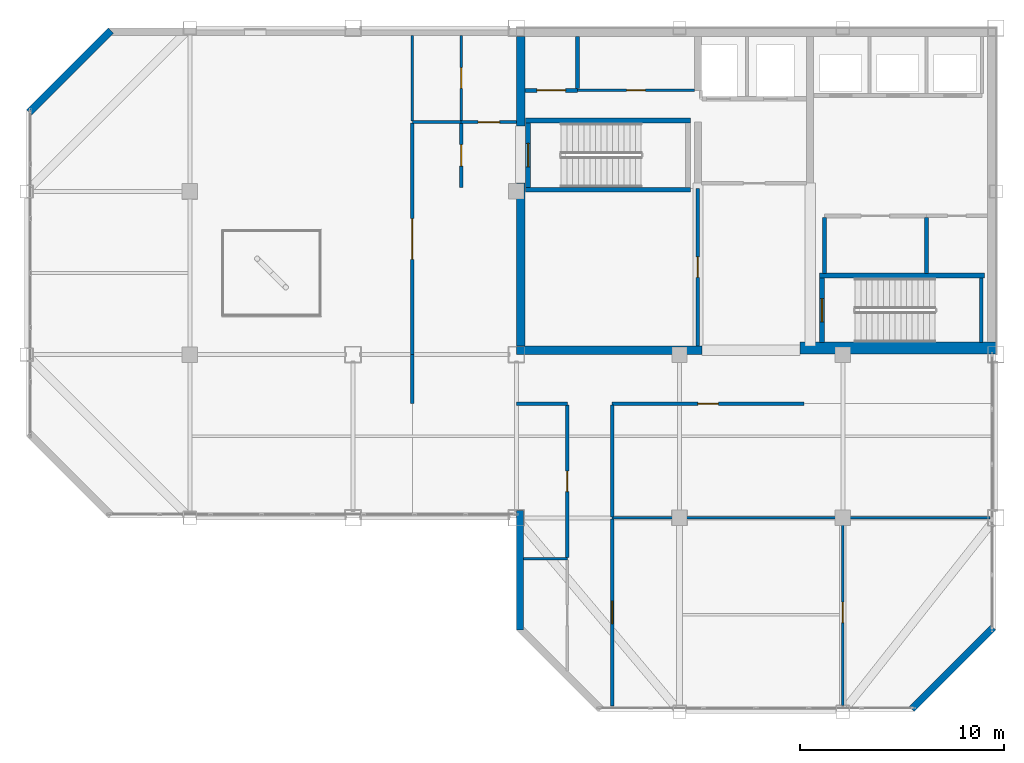
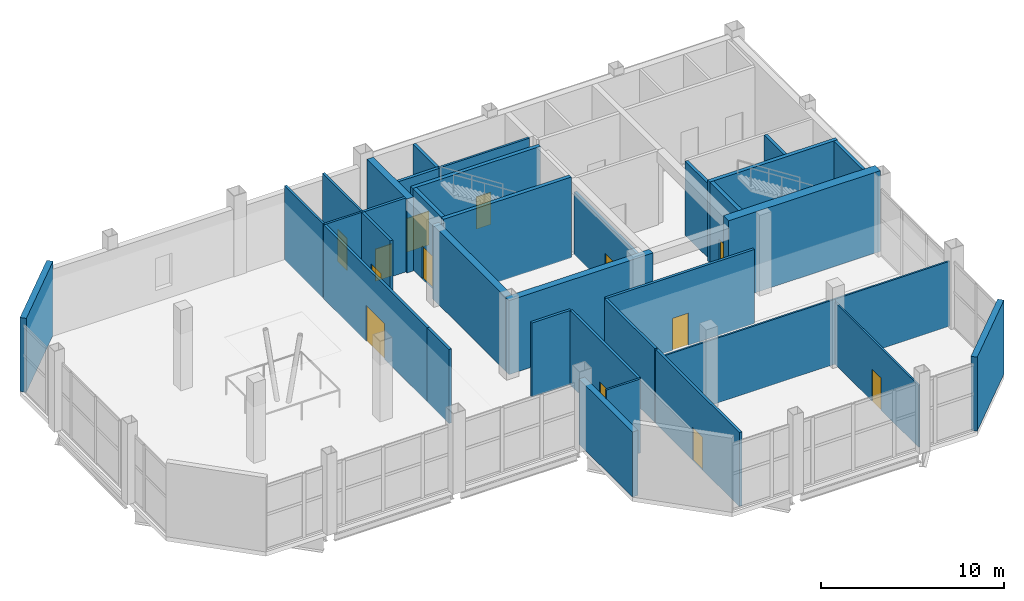
# One storey, part 12 of 16: 35 walls, 13 doors, 13 openings.
"""IFC4 building model written with IfcOpenShell, lengths in metres."""

import ifcopenshell
import ifcopenshell.guid

model = None  # the IFC model being written
_history = None  # IfcOwnerHistory: only IFC2X3 demands one
_inside = {}  # id of a spatial element -> (the spatial element, [elements in it])
_under = {}  # id of a project, library or spatial element -> (it, [spatial elements below it])
_declared = {}  # id of a project -> (the project, [libraries it declares])
_typed = {}  # id of a type object -> (the type object, [elements of that type])
_made_of = {}  # id of a material, layer set ... -> (it, [elements and type objects made of it])


def new_model(schema):
    """Start an empty IFC model of exactly this schema.

    Asked for "IFC4X3", IfcOpenShell would pick the latest addendum, in which some entities
    have other attributes; the version numbers below select the first issue.
    IFC2X3 requires an IfcOwnerHistory on every rooted entity: one is made here for all.
    """
    global model, _history
    if schema == "IFC4X3":
        model = ifcopenshell.file(schema_version=(4, 3, 0, 0))
    else:
        model = ifcopenshell.file(schema=schema)
    _inside.clear()
    _under.clear()
    _declared.clear()
    _typed.clear()
    _made_of.clear()
    _history = None
    if model.schema == "IFC2X3":
        org = make("IfcOrganization", Name="unknown")
        user = make(
            "IfcPersonAndOrganization",
            ThePerson=make("IfcPerson", FamilyName="unknown"),
            TheOrganization=org,
        )
        app = make(
            "IfcApplication",
            ApplicationDeveloper=org,
            Version="unknown",
            ApplicationFullName="unknown",
            ApplicationIdentifier="unknown",
        )
        _history = make(
            "IfcOwnerHistory",
            OwningUser=user,
            OwningApplication=app,
            ChangeAction="ADDED",
            CreationDate=0,
        )
    return model


def make(cls, **values):
    """One entity of the class cls with the attributes given. An attribute that is None is left unset."""
    return model.create_entity(
        cls, **{name: value for name, value in values.items() if value is not None}
    )


def rooted(cls, **values):
    """An entity with a GlobalId (a new one), such as an element, a storey or a relation."""
    return make(cls, GlobalId=ifcopenshell.guid.new(), OwnerHistory=_history, **values)


def si_unit(unit_type, name, prefix=None):
    """IfcSIUnit, for example si_unit("LENGTHUNIT", "METRE", prefix="MILLI")."""
    return make("IfcSIUnit", UnitType=unit_type, Prefix=prefix, Name=name)


def assignment(units):
    """IfcUnitAssignment: the units of a project."""
    return None if units is None else make("IfcUnitAssignment", Units=units)


def point(xyz):
    """IfcCartesianPoint."""
    return None if xyz is None else make("IfcCartesianPoint", Coordinates=xyz)


def direction(xyz):
    """IfcDirection."""
    return None if xyz is None else make("IfcDirection", DirectionRatios=xyz)


def frame(location, z_axis=None, x_axis=None):
    """IfcAxis2Placement3D, a coordinate frame: its origin and axes. An axis left out is left unset."""
    return make(
        "IfcAxis2Placement3D",
        Location=point(location),
        Axis=direction(z_axis),
        RefDirection=direction(x_axis),
    )


def frame_2d(location, x_axis=None):
    """IfcAxis2Placement2D, a coordinate frame in the plane: its origin and x axis."""
    return make(
        "IfcAxis2Placement2D", Location=point(location), RefDirection=direction(x_axis)
    )


def origin():
    """The frame at (0, 0, 0) with its axes left unset."""
    return frame((0.0, 0.0, 0.0))


def place(relative_to, where):
    """IfcLocalPlacement: puts the frame where relative to a parent placement (None: the world)."""
    return make(
        "IfcLocalPlacement", PlacementRelTo=relative_to, RelativePlacement=where
    )


def context(
    kind, dimensions, precision=None, world=None, true_north=None, identifier=None
):
    """IfcGeometricRepresentationContext, for example the 3D "Model" context."""
    return make(
        "IfcGeometricRepresentationContext",
        ContextIdentifier=identifier,
        ContextType=kind,
        CoordinateSpaceDimension=dimensions,
        Precision=precision,
        WorldCoordinateSystem=world,
        TrueNorth=true_north,
    )


def subcontext(parent, identifier, kind, view, scale=None):
    """IfcGeometricRepresentationSubContext, for example "Body" below "Model"."""
    return make(
        "IfcGeometricRepresentationSubContext",
        ContextIdentifier=identifier,
        ContextType=kind,
        ParentContext=parent,
        TargetScale=scale,
        TargetView=view,
    )


def project(units=None, contexts=None):
    """IfcProject with its units and contexts."""
    return rooted(
        "IfcProject",
        Name="project",
        RepresentationContexts=contexts,
        UnitsInContext=assignment(units),
    )


def spatial(cls, under=None, at=None, **own):
    """A site, building, storey or space (cls), placed at a placement, below another one or the project."""
    s = rooted(cls, ObjectPlacement=at, **own)
    if under is not None:
        _under.setdefault(under.id(), (under, []))[1].append(s)
    return s


def profile(cls, at=None, kind="AREA", **sizes):
    """A parametric profile (cls). Its sizes go by their IFC names, for example OverallWidth=200.0."""
    return make(cls, ProfileType=kind, Position=at, **sizes)


def rectangle(**sizes):
    """IfcRectangleProfileDef."""
    return profile("IfcRectangleProfileDef", **sizes)


def extrude(swept, where, along, depth):
    """IfcExtrudedAreaSolid: the profile swept, set in the frame where, extruded along a direction by depth."""
    return make(
        "IfcExtrudedAreaSolid",
        SweptArea=swept,
        Position=where,
        ExtrudedDirection=direction(along),
        Depth=depth,
    )


def shape(context_of_items, identifier, shape_type, items):
    """IfcShapeRepresentation: the items that make up one representation, for example the "Body"."""
    return make(
        "IfcShapeRepresentation",
        ContextOfItems=context_of_items,
        RepresentationIdentifier=identifier,
        RepresentationType=shape_type,
        Items=items,
    )


def material(Name=None, Category=None):
    """IfcMaterial."""
    return make("IfcMaterial", Name=Name, Category=Category)


def layer(
    of_material, thickness, ventilated=None, Name=None, Category=None, Priority=None
):
    """IfcMaterialLayer: one layer of a wall or slab, of a material (None: an air gap)."""
    return make(
        "IfcMaterialLayer",
        Material=of_material,
        LayerThickness=thickness,
        IsVentilated=ventilated,
        Name=Name,
        Category=Category,
        Priority=Priority,
    )


def layer_set(layers, Name=None):
    """IfcMaterialLayerSet."""
    return make("IfcMaterialLayerSet", MaterialLayers=layers, LayerSetName=Name)


def made_of(thing, what):
    """Note that an element or type object is made of a material, layer set ...; save() writes the relation."""
    if what is not None:
        _made_of.setdefault(what.id(), (what, []))[1].append(thing)
    return thing


def type_object(cls, material=None, **own):
    """A type object (cls), such as IfcWallType, which elements share."""
    return made_of(rooted(cls, **own), material)


def element(
    cls,
    number,
    at=None,
    inside=None,
    cuts=None,
    type_object=None,
    material=None,
    context=None,
    identifier="Body",
    shape_type=None,
    held_by="IfcProductDefinitionShape",
    body=None,
    shapes=None,
    **own,
):
    """One element of the class cls, such as IfcWall. Its Tag is "e" and its number.

    at: its placement. inside: the storey or other place that contains it. cuts: it is an
    opening in that element (IfcRelVoidsElement). A single representation is given by context,
    identifier, shape_type and body (its items); several are given by shapes. held_by: the class
    of the entity that holds the representations. save() writes the other relations.
    """
    e = rooted(cls, Tag="e%d" % number, ObjectPlacement=at, **own)
    if body is not None:
        shapes = [shape(context, identifier, shape_type, body)]
    if shapes is not None:
        e.Representation = make(held_by, Representations=shapes)
    if inside is not None:
        _inside.setdefault(inside.id(), (inside, []))[1].append(e)
    if cuts is not None:
        rooted(
            "IfcRelVoidsElement", RelatingBuildingElement=cuts, RelatedOpeningElement=e
        )
    if type_object is not None:
        _typed.setdefault(type_object.id(), (type_object, []))[1].append(e)
    return made_of(e, material)


def fill(opening, filler):
    """IfcRelFillsElement: the door or window that sits in an opening."""
    return rooted(
        "IfcRelFillsElement",
        RelatingOpeningElement=opening,
        RelatedBuildingElement=filler,
    )


def aggregate(whole, parts):
    """IfcRelAggregates: a whole, such as a stair, and the parts it consists of."""
    return rooted("IfcRelAggregates", RelatingObject=whole, RelatedObjects=parts)


def save(model, path):
    """Write the relations noted so far, then the file.

    IfcRelAggregates (storeys below a building ...), IfcRelContainedInSpatialStructure (elements
    in a storey), IfcRelDefinesByType, IfcRelAssociatesMaterial and IfcRelDeclares: one each for
    every whole, place, type object, material and project.
    """
    for whole, parts in _under.values():
        aggregate(whole, parts)
    for where, things in _inside.values():
        rooted(
            "IfcRelContainedInSpatialStructure",
            RelatedElements=things,
            RelatingStructure=where,
        )
    for kind, things in _typed.values():
        rooted("IfcRelDefinesByType", RelatedObjects=things, RelatingType=kind)
    for what, things in _made_of.values():
        rooted("IfcRelAssociatesMaterial", RelatedObjects=things, RelatingMaterial=what)
    for by, libraries in _declared.values():
        rooted("IfcRelDeclares", RelatingContext=by, RelatedDefinitions=libraries)
    model.write(path)


model = new_model("IFC4")

# Units and contexts
model_context = context("Model", 3, precision=1e-05, world=origin(), true_north=direction((0.0, 1.0)))
body_context = subcontext(model_context, "Body", "Model", "MODEL_VIEW")
ifc_project = project(units=[si_unit("LENGTHUNIT", "METRE"), si_unit("AREAUNIT", "SQUARE_METRE"), si_unit("VOLUMEUNIT", "CUBIC_METRE"), si_unit("PLANEANGLEUNIT", "RADIAN"), si_unit("MASSUNIT", "GRAM", prefix="KILO")], contexts=[model_context])

# Site, building, storey
site_placement = place(None, origin())
site = spatial("IfcSite", under=ifc_project, at=site_placement, CompositionType="ELEMENT")
building_placement = place(site_placement, origin())
building = spatial("IfcBuilding", under=site, at=building_placement, Name="Qianrong Seaharbour Tower", CompositionType="ELEMENT")
storey_placement = place(building_placement, frame((0.0, 0.0, 378.39990234375)))
storey = spatial("IfcBuildingStorey", under=building, at=storey_placement, Name="L91", CompositionType="ELEMENT", Elevation=378.39990234375)

# Walls
ifc_material_1 = material(Name="Concrete C50/60", Category="concrete")
ifc_layer_1 = layer(ifc_material_1, 0.419921875)
ifc_layer_set_1 = layer_set([ifc_layer_1], Name="Concrete C50/60")
wall_type_1 = type_object("IfcWallType", Name="WALL-CORE-420", PredefinedType="SHEAR", material=ifc_layer_set_1)
wall_1_placement = place(storey_placement, frame((40.7099609375, 36.419921875, 0.0), z_axis=(0.0, 0.0, 1.0), x_axis=(0.0, 1.0, 0.0)))
element("IfcWall", 1, at=wall_1_placement, inside=storey, type_object=wall_type_1, Name="L91 West Core Shear Wall South", PredefinedType="SHEAR", context=body_context, shape_type="SweptSolid", body=[
    extrude(rectangle(XDim=7.97998046875, YDim=0.419921875, at=frame_2d((3.989990234375, 0.0))), origin(), (0.0, 0.0, 1.0), 4.9501953125),
])
wall_2_placement = place(storey_placement, frame((40.7099609375, 47.199951171875, 0.0), z_axis=(0.0, 0.0, 1.0), x_axis=(0.0, 1.0, 0.0)))
element("IfcWall", 2, at=wall_2_placement, inside=storey, type_object=wall_type_1, Name="L91 West Core Shear Wall North", PredefinedType="SHEAR", context=body_context, shape_type="SweptSolid", body=[
    extrude(rectangle(XDim=4.380126953125, YDim=0.419921875, at=frame_2d((2.18994140625, 0.0))), origin(), (0.0, 0.0, 1.0), 4.9501953125),
])
wall_3_placement = place(storey_placement, frame((40.5, 36.2099609375, 0.0), z_axis=(0.0, 0.0, 1.0), x_axis=(1.0, 0.0, 0.0)))
element("IfcWall", 3, at=wall_3_placement, inside=storey, type_object=wall_type_1, Name="L91 South Core Shear Wall S1", PredefinedType="SHEAR", context=body_context, shape_type="SweptSolid", body=[
    extrude(rectangle(XDim=9.10009765625, YDim=0.419921875, at=frame_2d((4.550048828125, 0.0))), origin(), (0.0, 0.0, 1.0), 4.9501953125),
])
ifc_material_2 = material(Name="Concrete C70/85", Category="concrete")
ifc_layer_2 = layer(ifc_material_2, 0.580078125)
ifc_layer_set_2 = layer_set([ifc_layer_2], Name="Concrete C70/85")
wall_type_2 = type_object("IfcWallType", Name="WALL-CORE-580", PredefinedType="SHEAR", material=ifc_layer_set_2)
wall_4_placement = place(storey_placement, frame((54.39990234375, 36.320068359375, 0.0), z_axis=(0.0, 0.0, 1.0), x_axis=(1.0, 0.0, 0.0)))
element("IfcWall", 4, at=wall_4_placement, inside=storey, type_object=wall_type_2, Name="L91 South Core Shear Wall S3", PredefinedType="SHEAR", context=body_context, shape_type="SweptSolid", body=[
    extrude(rectangle(XDim=9.60009765625, YDim=0.580078125, at=frame_2d((4.800048828125, 0.0))), origin(), (0.0, 0.0, 1.0), 5.400146484375),
])

# Wall, opening, door
ifc_material_3 = material(Name="Fire-rated acoustic gypsum board partition")
ifc_layer_3 = layer(ifc_material_3, 0.1650390625)
ifc_layer_set_3 = layer_set([ifc_layer_3], Name="Fire-rated acoustic gypsum board partition")
wall_type_3 = type_object("IfcWallType", Name="WALL-CORR-PART-165", PredefinedType="PARTITIONING", material=ifc_layer_set_3)
wall_5_placement = place(storey_placement, frame((37.800048828125, 47.39990234375, 0.0), z_axis=(0.0, 0.0, 1.0), x_axis=(1.0, 0.0, 0.0)))
wall_5 = element("IfcWall", 5, at=wall_5_placement, inside=storey, type_object=wall_type_3, Name="L91 Interior Partition Wall 001", PredefinedType="PARTITIONING", context=body_context, shape_type="SweptSolid", body=[
    extrude(rectangle(XDim=2.699951171875, YDim=0.1650390625, at=frame_2d((1.35009765625, 0.0))), origin(), (0.0, 0.0, 1.0), 4.9501953125),
])
opening_1_placement = place(wall_5_placement, frame((0.824951171875, 0.0, 0.0)))
opening_1 = element("IfcOpeningElement", 6, at=opening_1_placement, cuts=wall_5, Name="Opening DC-01", PredefinedType="OPENING", context=body_context, shape_type="SweptSolid", body=[
    extrude(rectangle(XDim=1.050048828125, YDim=2.14990234375, at=frame_2d((0.52490234375, 1.074951171875))), frame((0.0, 0.092529296875, 0.0), z_axis=(0.0, -1.0, 0.0), x_axis=(1.0, 0.0, 0.0)), (0.0, 0.0, 1.0), 0.18505859375),
])
ifc_material_4 = material(Name="Acoustic timber and galvanized steel fire door assembly", Category="steel")
door_type_1 = type_object("IfcDoorType", Name="DOOR-CORR-FD60-1050x2150", OperationType="NOTDEFINED", PredefinedType="DOOR", material=ifc_material_4)
door_1_placement = place(opening_1_placement, origin())
door_1 = element("IfcDoor", 7, at=door_1_placement, inside=storey, type_object=door_type_1, Name="L91 Smokeproof Stair Vestibule ST-1 Door", OperationType="SINGLE_SWING_RIGHT", OverallHeight=2.14990234375, OverallWidth=1.050048828125, PredefinedType="DOOR", context=body_context, shape_type="SweptSolid", body=[
    extrude(rectangle(XDim=1.050048828125, YDim=2.14990234375, at=frame_2d((0.52490234375, 1.074951171875))), frame((0.0, 0.02490234375, 0.0), z_axis=(0.0, -1.0, 0.0), x_axis=(1.0, 0.0, 0.0)), (0.0, 0.0, 1.0), 0.050048828125),
])
fill(opening_1, door_1)

wall_6_placement = place(storey_placement, frame((37.800048828125, 44.199951171875, 0.0), z_axis=(0.0, 0.0, 1.0), x_axis=(0.0, 1.0, 0.0)))
wall_6 = element("IfcWall", 8, at=wall_6_placement, inside=storey, type_object=wall_type_3, Name="L91 Interior Partition Wall 002", PredefinedType="PARTITIONING", context=body_context, shape_type="SweptSolid", body=[
    extrude(rectangle(XDim=3.12548828125, YDim=0.1650390625, at=frame_2d((1.562744140625, 0.0))), origin(), (0.0, 0.0, 1.0), 4.9501953125),
])
opening_2_placement = place(wall_6_placement, frame((1.03759765625, 0.0, 0.0)))
opening_2 = element("IfcOpeningElement", 9, at=opening_2_placement, cuts=wall_6, Name="Opening DC-01", PredefinedType="OPENING", context=body_context, shape_type="SweptSolid", body=[
    extrude(rectangle(XDim=1.050048828125, YDim=2.14990234375, at=frame_2d((0.52490234375, 1.074951171875))), frame((0.0, 0.092529296875, 0.0), z_axis=(0.0, -1.0, 0.0), x_axis=(1.0, 0.0, 0.0)), (0.0, 0.0, 1.0), 0.18505859375),
])
door_2_placement = place(opening_2_placement, origin())
door_2 = element("IfcDoor", 10, at=door_2_placement, inside=storey, type_object=door_type_1, Name="L91 Smokeproof Stair Vestibule ST-1 Door", OperationType="SINGLE_SWING_LEFT", OverallHeight=2.14990234375, OverallWidth=1.050048828125, PredefinedType="DOOR", context=body_context, shape_type="SweptSolid", body=[
    extrude(rectangle(XDim=1.050048828125, YDim=2.14990234375, at=frame_2d((0.52490234375, 1.074951171875))), frame((0.0, 0.02490234375, 0.0), z_axis=(0.0, -1.0, 0.0), x_axis=(1.0, 0.0, 0.0)), (0.0, 0.0, 1.0), 0.050048828125),
])
fill(opening_2, door_2)

wall_7_placement = place(storey_placement, frame((49.39990234375, 36.419921875, 0.0), z_axis=(0.0, 0.0, 1.0), x_axis=(0.0, 1.0, 0.0)))
wall_7 = element("IfcWall", 11, at=wall_7_placement, inside=storey, type_object=wall_type_3, Name="L91 Interior Partition Wall 009", PredefinedType="PARTITIONING", context=body_context, shape_type="SweptSolid", body=[
    extrude(rectangle(XDim=7.72998046875, YDim=0.1650390625, at=frame_2d((3.864990234375, 0.0))), origin(), (0.0, 0.0, 1.0), 4.192138671875),
])
opening_3_placement = place(wall_7_placement, frame((3.364990234375, 0.0, 0.0)))
opening_3 = element("IfcOpeningElement", 12, at=opening_3_placement, cuts=wall_7, Name="Opening DO-01", PredefinedType="OPENING", context=body_context, shape_type="SweptSolid", body=[
    extrude(rectangle(XDim=1.0, YDim=2.14990234375, at=frame_2d((0.5, 1.074951171875))), frame((0.0, 0.092529296875, 0.0), z_axis=(0.0, -1.0, 0.0), x_axis=(1.0, 0.0, 0.0)), (0.0, 0.0, 1.0), 0.18505859375),
])
door_type_2 = type_object("IfcDoorType", Name="DOOR-OFFICE-1000x2150", OperationType="NOTDEFINED", PredefinedType="DOOR", material=ifc_material_4)
door_3_placement = place(opening_3_placement, origin())
door_3 = element("IfcDoor", 13, at=door_3_placement, inside=storey, type_object=door_type_2, Name="L91 Data Systems Office Door", OperationType="SINGLE_SWING_LEFT", OverallHeight=2.14990234375, OverallWidth=1.0, PredefinedType="DOOR", context=body_context, shape_type="SweptSolid", body=[
    extrude(rectangle(XDim=1.0, YDim=2.14990234375, at=frame_2d((0.5, 1.074951171875))), frame((0.0, 0.02490234375, 0.0), z_axis=(0.0, -1.0, 0.0), x_axis=(1.0, 0.0, 0.0)), (0.0, 0.0, 1.0), 0.050048828125),
])
fill(opening_3, door_3)

# Wall
wall_8_placement = place(storey_placement, frame((35.39990234375, 33.60009765625, 0.0), z_axis=(0.0, 0.0, 1.0), x_axis=(0.0, 1.0, 0.0)))
element("IfcWall", 14, at=wall_8_placement, inside=storey, type_object=wall_type_3, Name="L91 Interior Partition Wall 015", PredefinedType="PARTITIONING", context=body_context, shape_type="SweptSolid", body=[
    extrude(rectangle(XDim=2.39990234375, YDim=0.1650390625, at=frame_2d((1.199951171875, 0.0))), origin(), (0.0, 0.0, 1.0), 4.9501953125),
])

# Wall, opening, door
wall_9_placement = place(storey_placement, frame((54.60009765625, 33.60009765625, 0.0), z_axis=(0.0, 0.0, 1.0), x_axis=(-1.0, 0.0, 0.0)))
wall_9 = element("IfcWall", 15, at=wall_9_placement, inside=storey, type_object=wall_type_3, Name="L91 Interior Partition Wall 016", PredefinedType="PARTITIONING", context=body_context, shape_type="SweptSolid", body=[
    extrude(rectangle(XDim=9.400146484375, YDim=0.1650390625, at=frame_2d((4.7001953125, 0.0))), origin(), (0.0, 0.0, 1.0), 4.9501953125),
])
opening_4_placement = place(wall_9_placement, frame((4.199951171875, 0.0, 0.0)))
opening_4 = element("IfcOpeningElement", 16, at=opening_4_placement, cuts=wall_9, Name="Opening DO-01", PredefinedType="OPENING", context=body_context, shape_type="SweptSolid", body=[
    extrude(rectangle(XDim=1.0, YDim=2.14990234375, at=frame_2d((0.5, 1.074951171875))), frame((0.0, 0.092529296875, 0.0), z_axis=(0.0, -1.0, 0.0), x_axis=(1.0, 0.0, 0.0)), (0.0, 0.0, 1.0), 0.18505859375),
])
door_4_placement = place(opening_4_placement, origin())
door_4 = element("IfcDoor", 17, at=door_4_placement, inside=storey, type_object=door_type_2, Name="L91 Sky Summit Private Dining Room Door", OperationType="SINGLE_SWING_RIGHT", OverallHeight=2.14990234375, OverallWidth=1.0, PredefinedType="DOOR", context=body_context, shape_type="SweptSolid", body=[
    extrude(rectangle(XDim=1.0, YDim=2.14990234375, at=frame_2d((0.5, 1.074951171875))), frame((0.0, 0.02490234375, 0.0), z_axis=(0.0, -1.0, 0.0), x_axis=(1.0, 0.0, 0.0)), (0.0, 0.0, 1.0), 0.050048828125),
])
fill(opening_4, door_4)

# Wall
wall_10_placement = place(storey_placement, frame((43.0, 33.60009765625, 0.0), z_axis=(0.0, 0.0, 1.0), x_axis=(-1.0, 0.0, 0.0)))
element("IfcWall", 18, at=wall_10_placement, inside=storey, type_object=wall_type_3, Name="L91 Interior Partition Wall 017", PredefinedType="PARTITIONING", context=body_context, shape_type="SweptSolid", body=[
    extrude(rectangle(XDim=2.5, YDim=0.1650390625, at=frame_2d((1.25, 0.0))), origin(), (0.0, 0.0, 1.0), 4.9501953125),
])

# Wall, opening, door
wall_11_placement = place(storey_placement, frame((35.39990234375, 36.0, 0.0), z_axis=(0.0, 0.0, 1.0), x_axis=(0.0, 1.0, 0.0)))
wall_11 = element("IfcWall", 19, at=wall_11_placement, inside=storey, type_object=wall_type_3, Name="L91 Interior Partition Wall 018", PredefinedType="PARTITIONING", context=body_context, shape_type="SweptSolid", body=[
    extrude(rectangle(XDim=11.343017578125, YDim=0.1650390625, at=frame_2d((5.67138671875, 0.0))), origin(), (0.0, 0.0, 1.0), 4.9501953125),
])
opening_5_placement = place(wall_11_placement, frame((4.67138671875, 0.0, 0.0)))
opening_5 = element("IfcOpeningElement", 20, at=opening_5_placement, cuts=wall_11, Name="Opening DA-01", PredefinedType="OPENING", context=body_context, shape_type="SweptSolid", body=[
    extrude(rectangle(XDim=2.0, YDim=2.39990234375, at=frame_2d((1.0, 1.199951171875))), frame((0.0, 0.092529296875, 0.0), z_axis=(0.0, -1.0, 0.0), x_axis=(1.0, 0.0, 0.0)), (0.0, 0.0, 1.0), 0.18505859375),
])
door_type_3 = type_object("IfcDoorType", Name="DOOR-AUD-PAIR-2000x2400", OperationType="DOUBLE_DOOR_SINGLE_SWING", PredefinedType="DOOR", material=ifc_material_4)
door_5_placement = place(opening_5_placement, origin())
door_5 = element("IfcDoor", 21, at=door_5_placement, inside=storey, type_object=door_type_3, Name="L91 Observatory Gallery Door", OperationType="DOUBLE_DOOR_SINGLE_SWING", OverallHeight=2.39990234375, OverallWidth=2.0, PredefinedType="DOOR", context=body_context, shape_type="SweptSolid", body=[
    extrude(rectangle(XDim=2.0, YDim=2.39990234375, at=frame_2d((1.0, 1.199951171875))), frame((0.0, 0.02490234375, 0.0), z_axis=(0.0, -1.0, 0.0), x_axis=(1.0, 0.0, 0.0)), (0.0, 0.0, 1.0), 0.050048828125),
])
fill(opening_5, door_5)

wall_12_placement = place(storey_placement, frame((45.199951171875, 27.952880859375, 0.0), z_axis=(0.0, 0.0, 1.0), x_axis=(0.0, -1.0, 0.0)))
wall_12 = element("IfcWall", 22, at=wall_12_placement, inside=storey, type_object=wall_type_3, Name="L91 Interior Partition Wall 019", PredefinedType="PARTITIONING", context=body_context, shape_type="SweptSolid", body=[
    extrude(rectangle(XDim=9.1708984375, YDim=0.1650390625, at=frame_2d((4.58544921875, 0.0))), origin(), (0.0, 0.0, 1.0), 4.9501953125),
])
opening_6_placement = place(wall_12_placement, frame((4.035400390625, 0.0, 0.0)))
opening_6 = element("IfcOpeningElement", 23, at=opening_6_placement, cuts=wall_12, Name="Opening DM-01", PredefinedType="OPENING", context=body_context, shape_type="SweptSolid", body=[
    extrude(rectangle(XDim=1.10009765625, YDim=2.199951171875, at=frame_2d((0.550048828125, 1.10009765625))), frame((0.0, 0.092529296875, 0.0), z_axis=(0.0, -1.0, 0.0), x_axis=(1.0, 0.0, 0.0)), (0.0, 0.0, 1.0), 0.18505859375),
])
door_type_4 = type_object("IfcDoorType", Name="DOOR-MEET-1100x2200", OperationType="NOTDEFINED", PredefinedType="DOOR", material=ifc_material_4)
door_6_placement = place(opening_6_placement, origin())
door_6 = element("IfcDoor", 24, at=door_6_placement, inside=storey, type_object=door_type_4, Name="L91 Boardroom Door", OperationType="SINGLE_SWING_RIGHT", OverallHeight=2.199951171875, OverallWidth=1.10009765625, PredefinedType="DOOR", context=body_context, shape_type="SweptSolid", body=[
    extrude(rectangle(XDim=1.10009765625, YDim=2.199951171875, at=frame_2d((0.550048828125, 1.10009765625))), frame((0.0, 0.02490234375, 0.0), z_axis=(0.0, -1.0, 0.0), x_axis=(1.0, 0.0, 0.0)), (0.0, 0.0, 1.0), 0.050048828125),
])
fill(opening_6, door_6)

# Wall
wall_13_placement = place(storey_placement, frame((45.199951171875, 33.525390625, 0.0), z_axis=(0.0, 0.0, 1.0), x_axis=(0.0, -1.0, 0.0)))
element("IfcWall", 25, at=wall_13_placement, inside=storey, type_object=wall_type_3, Name="L91 Interior Partition Wall 020", PredefinedType="PARTITIONING", context=body_context, shape_type="SweptSolid", body=[
    extrude(rectangle(XDim=5.478271484375, YDim=0.1650390625, at=frame_2d((2.7392578125, 0.0))), origin(), (0.0, 0.0, 1.0), 4.9501953125),
])

# Wall, opening, door
wall_14_placement = place(storey_placement, frame((43.0, 26.056884765625, 0.0), z_axis=(0.0, 0.0, 1.0), x_axis=(0.0, 1.0, 0.0)))
wall_14 = element("IfcWall", 26, at=wall_14_placement, inside=storey, type_object=wall_type_3, Name="L91 Interior Partition Wall 022", PredefinedType="PARTITIONING", context=body_context, shape_type="SweptSolid", body=[
    extrude(rectangle(XDim=7.468505859375, YDim=0.1650390625, at=frame_2d((3.734375, 0.0))), origin(), (0.0, 0.0, 1.0), 4.9501953125),
])
opening_7_placement = place(wall_14_placement, frame((3.234130859375, 0.0, 0.0)))
opening_7 = element("IfcOpeningElement", 27, at=opening_7_placement, cuts=wall_14, Name="Opening DO-01", PredefinedType="OPENING", context=body_context, shape_type="SweptSolid", body=[
    extrude(rectangle(XDim=1.0, YDim=2.14990234375, at=frame_2d((0.5, 1.074951171875))), frame((0.0, 0.092529296875, 0.0), z_axis=(0.0, -1.0, 0.0), x_axis=(1.0, 0.0, 0.0)), (0.0, 0.0, 1.0), 0.18505859375),
])
door_7_placement = place(opening_7_placement, origin())
door_7 = element("IfcDoor", 28, at=door_7_placement, inside=storey, type_object=door_type_2, Name="L91 Executive Office Door", OperationType="SINGLE_SWING_RIGHT", OverallHeight=2.14990234375, OverallWidth=1.0, PredefinedType="DOOR", context=body_context, shape_type="SweptSolid", body=[
    extrude(rectangle(XDim=1.0, YDim=2.14990234375, at=frame_2d((0.5, 1.074951171875))), frame((0.0, 0.02490234375, 0.0), z_axis=(0.0, -1.0, 0.0), x_axis=(1.0, 0.0, 0.0)), (0.0, 0.0, 1.0), 0.050048828125),
])
fill(opening_7, door_7)

ifc_material_5 = material(Name="Demountable aluminium-framed acoustic office partition", Category="aluminium")
ifc_layer_4 = layer(ifc_material_5, 0.110107421875)
ifc_layer_set_4 = layer_set([ifc_layer_4], Name="Demountable aluminium-framed acoustic office partition")
wall_type_4 = type_object("IfcWallType", Name="WALL-DEMOUNT-110", PredefinedType="MOVABLE", material=ifc_layer_set_4)
wall_15_placement = place(storey_placement, frame((56.5, 27.952880859375, 0.0), z_axis=(0.0, 0.0, 1.0), x_axis=(0.0, -1.0, 0.0)))
wall_15 = element("IfcWall", 29, at=wall_15_placement, inside=storey, type_object=wall_type_4, Name="L91 Interior Partition Wall 023", PredefinedType="MOVABLE", context=body_context, shape_type="SweptSolid", body=[
    extrude(rectangle(XDim=9.1708984375, YDim=0.110107421875, at=frame_2d((4.58544921875, 0.0))), origin(), (0.0, 0.0, 1.0), 4.14208984375),
])
opening_8_placement = place(wall_15_placement, frame((4.08544921875, 0.0, 0.0)))
opening_8 = element("IfcOpeningElement", 30, at=opening_8_placement, cuts=wall_15, Name="Opening DO-01", PredefinedType="OPENING", context=body_context, shape_type="SweptSolid", body=[
    extrude(rectangle(XDim=1.0, YDim=2.14990234375, at=frame_2d((0.5, 1.074951171875))), frame((0.0, 0.06494140625, 0.0), z_axis=(0.0, -1.0, 0.0), x_axis=(1.0, 0.0, 0.0)), (0.0, 0.0, 1.0), 0.130126953125),
])
door_8_placement = place(opening_8_placement, origin())
door_8 = element("IfcDoor", 31, at=door_8_placement, inside=storey, type_object=door_type_2, Name="L91 Summit Harbour Lounge Door", OperationType="SINGLE_SWING_LEFT", OverallHeight=2.14990234375, OverallWidth=1.0, PredefinedType="DOOR", context=body_context, shape_type="SweptSolid", body=[
    extrude(rectangle(XDim=1.0, YDim=2.14990234375, at=frame_2d((0.5, 1.074951171875))), frame((0.0, 0.02490234375, 0.0), z_axis=(0.0, -1.0, 0.0), x_axis=(1.0, 0.0, 0.0)), (0.0, 0.0, 1.0), 0.050048828125),
])
fill(opening_8, door_8)

# Walls
wall_16_placement = place(storey_placement, frame((45.199951171875, 28.0, 0.0), z_axis=(0.0, 0.0, 1.0), x_axis=(1.0, 0.0, 0.0)))
element("IfcWall", 32, at=wall_16_placement, inside=storey, type_object=wall_type_4, Name="L91 Interior Partition Wall 024", PredefinedType="MOVABLE", context=body_context, shape_type="SweptSolid", body=[
    extrude(rectangle(XDim=11.300048828125, YDim=0.110107421875, at=frame_2d((5.64990234375, 0.0))), origin(), (0.0, 0.0, 1.0), 4.342041015625),
])
wall_17_placement = place(storey_placement, frame((56.5, 28.0, 0.0), z_axis=(0.0, 0.0, 1.0), x_axis=(1.0, 0.0, 0.0)))
element("IfcWall", 33, at=wall_17_placement, inside=storey, type_object=wall_type_4, Name="L91 Interior Partition Wall 025", PredefinedType="MOVABLE", context=body_context, shape_type="SweptSolid", body=[
    extrude(rectangle(XDim=7.218017578125, YDim=0.110107421875, at=frame_2d((3.60888671875, 0.0))), origin(), (0.0, 0.0, 1.0), 4.342041015625),
])
ifc_material_6 = material(Name="Unitised red brick on Precast concrete C45/55", Category="masonry")
ifc_layer_5 = layer(ifc_material_6, 0.360107421875)
ifc_layer_set_5 = layer_set([ifc_layer_5], Name="Unitised red brick on Precast concrete C45/55")
wall_type_5 = type_object("IfcWallType", Name="WALL-EXT-BRICK-RED-360", PredefinedType="SOLIDWALL", material=ifc_layer_set_5)
wall_18_placement = place(storey_placement, frame((40.679931640625, 22.5, 0.0), z_axis=(0.0, 0.0, 1.0), x_axis=(0.0, 1.0, 0.0)))
element("IfcWall", 34, at=wall_18_placement, inside=storey, type_object=wall_type_5, Name="L91 Exterior Masonry Facade Wall REENTRANT_WEST", PredefinedType="SOLIDWALL", context=body_context, shape_type="SweptSolid", body=[
    extrude(rectangle(XDim=5.860107421875, YDim=0.360107421875, at=frame_2d((2.93017578125, 0.0))), origin(), (0.0, 0.0, 1.0), 4.35009765625),
])
for number, where, z_axis, x_axis, name in (
    (35, (16.627197265625, 47.872802734375, 0.0), (0.0, 0.0, 1.0), (0.707106781187, 0.707106781187, 0.0), "L91 Exterior Masonry Facade Wall E04"),
    (36, (63.872802734375, 22.627197265625, 0.0), (0.0, 0.0, 1.0), (-0.707106781187, -0.707106781187, 0.0), "L91 Exterior Masonry Facade Wall E07"),
):
    element("IfcWall", number, at=place(storey_placement, frame(where, z_axis=z_axis, x_axis=x_axis)), inside=storey, type_object=wall_type_5, Name=name, PredefinedType="SOLIDWALL", context=body_context, shape_type="SweptSolid", body=[
        extrude(rectangle(XDim=5.65673828125, YDim=0.360107421875, at=frame_2d((2.828369140625, 0.0))), origin(), (0.0, 0.0, 1.0), 4.9501953125),
    ])

# Wall, opening, door
ifc_material_7 = material(Name="Double fire-rated gypsum board acoustic partition")
ifc_layer_6 = layer(ifc_material_7, 0.18994140625)
ifc_layer_set_6 = layer_set([ifc_layer_6], Name="Double fire-rated gypsum board acoustic partition")
wall_type_6 = type_object("IfcWallType", Name="WALL-FIRE-PART-190", PredefinedType="PARTITIONING", material=ifc_layer_set_6)
wall_19_placement = place(storey_placement, frame((40.919921875, 48.949951171875, 0.0), z_axis=(0.0, 0.0, 1.0), x_axis=(1.0, 0.0, 0.0)))
wall_19 = element("IfcWall", 37, at=wall_19_placement, inside=storey, type_object=wall_type_6, Name="L91 Interior Partition Wall 006", PredefinedType="PARTITIONING", context=body_context, shape_type="SweptSolid", body=[
    extrude(rectangle(XDim=2.580078125, YDim=0.18994140625, at=frame_2d((1.2900390625, 0.0))), origin(), (0.0, 0.0, 1.0), 4.9501953125),
])
opening_9_placement = place(wall_19_placement, frame((0.590087890625, 0.0, 0.0)))
opening_9 = element("IfcOpeningElement", 38, at=opening_9_placement, cuts=wall_19, Name="Opening DP-01", PredefinedType="OPENING", context=body_context, shape_type="SweptSolid", body=[
    extrude(rectangle(XDim=1.39990234375, YDim=2.25, at=frame_2d((0.699951171875, 1.125))), frame((0.0, 0.10498046875, 0.0), z_axis=(0.0, -1.0, 0.0), x_axis=(1.0, 0.0, 0.0)), (0.0, 0.0, 1.0), 0.2099609375),
])
door_type_5 = type_object("IfcDoorType", Name="DOOR-PLANT-PAIR-1400x2250", OperationType="DOUBLE_DOOR_SINGLE_SWING", PredefinedType="DOOR", material=ifc_material_4)
door_9_placement = place(opening_9_placement, origin())
door_9 = element("IfcDoor", 39, at=door_9_placement, inside=storey, type_object=door_type_5, Name="L91 Core Electrical Closet Door", OperationType="DOUBLE_DOOR_SINGLE_SWING", OverallHeight=2.25, OverallWidth=1.39990234375, PredefinedType="DOOR", context=body_context, shape_type="SweptSolid", body=[
    extrude(rectangle(XDim=1.39990234375, YDim=2.25, at=frame_2d((0.699951171875, 1.125))), frame((0.0, 0.02490234375, 0.0), z_axis=(0.0, -1.0, 0.0), x_axis=(1.0, 0.0, 0.0)), (0.0, 0.0, 1.0), 0.050048828125),
])
fill(opening_9, door_9)

# Walls
wall_20_placement = place(storey_placement, frame((55.60009765625, 42.712890625, 0.0), z_axis=(0.0, 0.0, 1.0), x_axis=(0.0, -1.0, 0.0)))
element("IfcWall", 40, at=wall_20_placement, inside=storey, type_object=wall_type_6, Name="L91 Interior Partition Wall 010", PredefinedType="PARTITIONING", context=body_context, shape_type="SweptSolid", body=[
    extrude(rectangle(XDim=2.73095703125, YDim=0.18994140625, at=frame_2d((1.365478515625, 0.0))), origin(), (0.0, 0.0, 1.0), 4.9501953125),
])
wall_21_placement = place(storey_placement, frame((43.5, 51.580078125, 0.0), z_axis=(0.0, 0.0, 1.0), x_axis=(0.0, -1.0, 0.0)))
element("IfcWall", 41, at=wall_21_placement, inside=storey, type_object=wall_type_6, Name="L91 Interior Partition Wall 013", PredefinedType="PARTITIONING", context=body_context, shape_type="SweptSolid", body=[
    extrude(rectangle(XDim=2.54296875, YDim=0.18994140625, at=frame_2d((1.271484375, 0.0))), origin(), (0.0, 0.0, 1.0), 4.9501953125),
])
wall_22_placement = place(storey_placement, frame((60.60009765625, 42.712890625, 0.0), z_axis=(0.0, 0.0, 1.0), x_axis=(0.0, -1.0, 0.0)))
element("IfcWall", 42, at=wall_22_placement, inside=storey, type_object=wall_type_6, Name="L91 Interior Partition Wall 014", PredefinedType="PARTITIONING", context=body_context, shape_type="SweptSolid", body=[
    extrude(rectangle(XDim=2.73095703125, YDim=0.18994140625, at=frame_2d((1.365478515625, 0.0))), origin(), (0.0, 0.0, 1.0), 4.9501953125),
])
ifc_layer_7 = layer(ifc_material_1, 0.239990234375)
ifc_layer_set_7 = layer_set([ifc_layer_7], Name="Concrete C50/60")
wall_type_7 = type_object("IfcWallType", Name="WALL-SHAFT-RC240", PredefinedType="SOLIDWALL", material=ifc_layer_set_7)
for number, where, z_axis, x_axis, name in (
    (43, (40.9599609375, 47.469970703125, 0.0), (0.0, 0.0, 1.0), (1.0, 0.0, 0.0), "L91 ST-1 Structural Stair Core Wall N"),
    (44, (49.0400390625, 44.080078125, 0.0), (0.0, 0.0, 1.0), (-1.0, 0.0, 0.0), "L91 ST-1 Structural Stair Core Wall S"),
):
    element("IfcWall", number, at=place(storey_placement, frame(where, z_axis=z_axis, x_axis=x_axis)), inside=storey, type_object=wall_type_7, Name=name, PredefinedType="SOLIDWALL", context=body_context, shape_type="SweptSolid", body=[
        extrude(rectangle(XDim=8.080078125, YDim=0.239990234375, at=frame_2d((4.0400390625, 0.0))), origin(), (0.0, 0.0, 1.0), 5.400146484375),
    ])

# Wall, opening, door
wall_23_placement = place(storey_placement, frame((41.080078125, 47.35009765625, 0.0), z_axis=(0.0, 0.0, 1.0), x_axis=(0.0, -1.0, 0.0)))
wall_23 = element("IfcWall", 45, at=wall_23_placement, inside=storey, type_object=wall_type_7, Name="L91 ST-1 Structural Stair Core Wall W", PredefinedType="SOLIDWALL", context=body_context, shape_type="SweptSolid", body=[
    extrude(rectangle(XDim=3.150146484375, YDim=0.239990234375, at=frame_2d((1.5751953125, 0.0))), origin(), (0.0, 0.0, 1.0), 5.400146484375),
])
opening_10_placement = place(wall_23_placement, frame((1.0, 0.0, 0.0)))
opening_10 = element("IfcOpeningElement", 46, at=opening_10_placement, cuts=wall_23, Name="Opening SD-01", PredefinedType="OPENING", context=body_context, shape_type="SweptSolid", body=[
    extrude(rectangle(XDim=1.14990234375, YDim=2.199951171875, at=frame_2d((0.574951171875, 1.10009765625))), frame((0.0, 0.1298828125, 0.0), z_axis=(0.0, -1.0, 0.0), x_axis=(1.0, 0.0, 0.0)), (0.0, 0.0, 1.0), 0.260009765625),
])
door_type_6 = type_object("IfcDoorType", Name="DOOR-STAIR-FD60-1150x2200", OperationType="NOTDEFINED", PredefinedType="DOOR", material=ifc_material_4)
door_10_placement = place(opening_10_placement, origin())
door_10 = element("IfcDoor", 47, at=door_10_placement, inside=storey, type_object=door_type_6, Name="L91 ST-1 Protected Stair Door", OperationType="SINGLE_SWING_RIGHT", OverallHeight=2.199951171875, OverallWidth=1.14990234375, PredefinedType="DOOR", context=body_context, shape_type="SweptSolid", body=[
    extrude(rectangle(XDim=1.14990234375, YDim=2.199951171875, at=frame_2d((0.574951171875, 1.10009765625))), frame((0.0, 0.02490234375, 0.0), z_axis=(0.0, -1.0, 0.0), x_axis=(1.0, 0.0, 0.0)), (0.0, 0.0, 1.0), 0.050048828125),
])
fill(opening_10, door_10)

# Wall
wall_24_placement = place(storey_placement, frame((55.360107421875, 39.8701171875, 0.0), z_axis=(0.0, 0.0, 1.0), x_axis=(1.0, 0.0, 0.0)))
element("IfcWall", 48, at=wall_24_placement, inside=storey, type_object=wall_type_7, Name="L91 ST-2 Structural Stair Core Wall N", PredefinedType="SOLIDWALL", context=body_context, shape_type="SweptSolid", body=[
    extrude(rectangle(XDim=8.079833984375, YDim=0.239990234375, at=frame_2d((4.0400390625, 0.0))), origin(), (0.0, 0.0, 1.0), 5.400146484375),
])

# Wall, opening, door
wall_25_placement = place(storey_placement, frame((55.47998046875, 39.75, 0.0), z_axis=(0.0, 0.0, 1.0), x_axis=(0.0, -1.0, 0.0)))
wall_25 = element("IfcWall", 49, at=wall_25_placement, inside=storey, type_object=wall_type_7, Name="L91 ST-2 Structural Stair Core Wall W", PredefinedType="SOLIDWALL", context=body_context, shape_type="SweptSolid", body=[
    extrude(rectangle(XDim=3.14990234375, YDim=0.239990234375, at=frame_2d((1.574951171875, 0.0))), origin(), (0.0, 0.0, 1.0), 5.400146484375),
])
opening_11_placement = place(wall_25_placement, frame((1.0, 0.0, 0.0)))
opening_11 = element("IfcOpeningElement", 50, at=opening_11_placement, cuts=wall_25, Name="Opening SD-01", PredefinedType="OPENING", context=body_context, shape_type="SweptSolid", body=[
    extrude(rectangle(XDim=1.14990234375, YDim=2.199951171875, at=frame_2d((0.574951171875, 1.10009765625))), frame((0.0, 0.1298828125, 0.0), z_axis=(0.0, -1.0, 0.0), x_axis=(1.0, 0.0, 0.0)), (0.0, 0.0, 1.0), 0.260009765625),
])
door_11_placement = place(opening_11_placement, origin())
door_11 = element("IfcDoor", 51, at=door_11_placement, inside=storey, type_object=door_type_6, Name="L91 ST-2 Protected Stair Door", OperationType="SINGLE_SWING_RIGHT", OverallHeight=2.199951171875, OverallWidth=1.14990234375, PredefinedType="DOOR", context=body_context, shape_type="SweptSolid", body=[
    extrude(rectangle(XDim=1.14990234375, YDim=2.199951171875, at=frame_2d((0.574951171875, 1.10009765625))), frame((0.0, 0.02490234375, 0.0), z_axis=(0.0, -1.0, 0.0), x_axis=(1.0, 0.0, 0.0)), (0.0, 0.0, 1.0), 0.050048828125),
])
fill(opening_11, door_11)

# Wall
wall_26_placement = place(storey_placement, frame((63.2900390625, 36.60009765625, 0.0), z_axis=(0.0, 0.0, 1.0), x_axis=(0.0, 1.0, 0.0)))
element("IfcWall", 52, at=wall_26_placement, inside=storey, type_object=wall_type_7, Name="L91 ST-2 Structural Stair Core Wall E", PredefinedType="SOLIDWALL", context=body_context, shape_type="SweptSolid", body=[
    extrude(rectangle(XDim=3.14990234375, YDim=0.179931640625, at=frame_2d((1.574951171875, 0.0))), origin(), (0.0, 0.0, 1.0), 5.400146484375),
])

# Wall, opening, door
ifc_material_8 = material(Name="Water-resistant cement board sanitary partition")
ifc_layer_8 = layer(ifc_material_8, 0.1298828125)
ifc_layer_set_8 = layer_set([ifc_layer_8], Name="Water-resistant cement board sanitary partition")
wall_type_8 = type_object("IfcWallType", Name="WALL-WET-PART-130", PredefinedType="PARTITIONING", material=ifc_layer_set_8)
wall_27_placement = place(storey_placement, frame((37.800048828125, 47.474609375, 0.0), z_axis=(0.0, 0.0, 1.0), x_axis=(0.0, 1.0, 0.0)))
wall_27 = element("IfcWall", 53, at=wall_27_placement, inside=storey, type_object=wall_type_8, Name="L91 Interior Partition Wall 003", PredefinedType="PARTITIONING", context=body_context, shape_type="SweptSolid", body=[
    extrude(rectangle(XDim=4.17333984375, YDim=0.1298828125, at=frame_2d((2.086669921875, 0.0))), origin(), (0.0, 0.0, 1.0), 4.9501953125),
])
opening_12_placement = place(wall_27_placement, frame((1.57666015625, 0.0, 0.0)))
opening_12 = element("IfcOpeningElement", 54, at=opening_12_placement, cuts=wall_27, Name="Opening DAW-01", PredefinedType="OPENING", context=body_context, shape_type="SweptSolid", body=[
    extrude(rectangle(XDim=1.02001953125, YDim=2.14990234375, at=frame_2d((0.510009765625, 1.074951171875))), frame((0.0, 0.074951171875, 0.0), z_axis=(0.0, -1.0, 0.0), x_axis=(1.0, 0.0, 0.0)), (0.0, 0.0, 1.0), 0.14990234375),
])
door_type_7 = type_object("IfcDoorType", Name="DOOR-AWC-SLIDE-1020x2150", OperationType="SLIDING_TO_LEFT", PredefinedType="DOOR", material=ifc_material_4)
door_12_placement = place(opening_12_placement, origin())
door_12 = element("IfcDoor", 55, at=door_12_placement, inside=storey, type_object=door_type_7, Name="L91 Accessible Restroom WC Door", OperationType="SLIDING_TO_LEFT", OverallHeight=2.14990234375, OverallWidth=1.02001953125, PredefinedType="DOOR", context=body_context, shape_type="SweptSolid", body=[
    extrude(rectangle(XDim=1.02001953125, YDim=2.14990234375, at=frame_2d((0.510009765625, 1.074951171875))), frame((0.0, 0.02490234375, 0.0), z_axis=(0.0, -1.0, 0.0), x_axis=(1.0, 0.0, 0.0)), (0.0, 0.0, 1.0), 0.050048828125),
])
fill(opening_12, door_12)

# Walls
wall_28_placement = place(storey_placement, frame((37.800048828125, 47.39990234375, 0.0), z_axis=(0.0, 0.0, 1.0), x_axis=(-1.0, 0.0, 0.0)))
element("IfcWall", 56, at=wall_28_placement, inside=storey, type_object=wall_type_8, Name="L91 Interior Partition Wall 004", PredefinedType="PARTITIONING", context=body_context, shape_type="SweptSolid", body=[
    extrude(rectangle(XDim=2.400146484375, YDim=0.1298828125, at=frame_2d((1.2001953125, 0.0))), origin(), (0.0, 0.0, 1.0), 4.9501953125),
])
wall_29_placement = place(storey_placement, frame((35.39990234375, 47.45703125, 0.0), z_axis=(0.0, 0.0, 1.0), x_axis=(0.0, 1.0, 0.0)))
element("IfcWall", 57, at=wall_29_placement, inside=storey, type_object=wall_type_8, Name="L91 Interior Partition Wall 005", PredefinedType="PARTITIONING", context=body_context, shape_type="SweptSolid", body=[
    extrude(rectangle(XDim=4.19091796875, YDim=0.1298828125, at=frame_2d((2.095458984375, 0.0))), origin(), (0.0, 0.0, 1.0), 4.9501953125),
])

# Wall, opening, door
wall_30_placement = place(storey_placement, frame((43.5, 48.949951171875, 0.0), z_axis=(0.0, 0.0, 1.0), x_axis=(1.0, 0.0, 0.0)))
wall_30 = element("IfcWall", 58, at=wall_30_placement, inside=storey, type_object=wall_type_8, Name="L91 Interior Partition Wall 007", PredefinedType="PARTITIONING", context=body_context, shape_type="SweptSolid", body=[
    extrude(rectangle(XDim=5.73291015625, YDim=0.1298828125, at=frame_2d((2.866455078125, 0.0))), origin(), (0.0, 0.0, 1.0), 4.9501953125),
])
opening_13_placement = place(wall_30_placement, frame((2.406494140625, 0.0, 0.0)))
opening_13 = element("IfcOpeningElement", 59, at=opening_13_placement, cuts=wall_30, Name="Opening DW-01", PredefinedType="OPENING", context=body_context, shape_type="SweptSolid", body=[
    extrude(rectangle(XDim=0.919921875, YDim=2.14990234375, at=frame_2d((0.4599609375, 1.074951171875))), frame((0.0, 0.074951171875, 0.0), z_axis=(0.0, -1.0, 0.0), x_axis=(1.0, 0.0, 0.0)), (0.0, 0.0, 1.0), 0.14990234375),
])
door_type_8 = type_object("IfcDoorType", Name="DOOR-WC-920x2150", OperationType="NOTDEFINED", PredefinedType="DOOR", material=ifc_material_4)
door_13_placement = place(opening_13_placement, origin())
door_13 = element("IfcDoor", 60, at=door_13_placement, inside=storey, type_object=door_type_8, Name="L91 Staff Restroom WC Door", OperationType="SINGLE_SWING_RIGHT", OverallHeight=2.14990234375, OverallWidth=0.919921875, PredefinedType="DOOR", context=body_context, shape_type="SweptSolid", body=[
    extrude(rectangle(XDim=0.919921875, YDim=2.14990234375, at=frame_2d((0.4599609375, 1.074951171875))), frame((0.0, 0.02490234375, 0.0), z_axis=(0.0, -1.0, 0.0), x_axis=(1.0, 0.0, 0.0)), (0.0, 0.0, 1.0), 0.050048828125),
])
fill(opening_13, door_13)

# Wall
wall_31_placement = place(storey_placement, frame((40.85205078125, 26.0, 0.0), z_axis=(0.0, 0.0, 1.0), x_axis=(1.0, 0.0, 0.0)))
element("IfcWall", 61, at=wall_31_placement, inside=storey, type_object=wall_type_8, Name="L91 Interior Partition Wall 026", PredefinedType="PARTITIONING", context=body_context, shape_type="SweptSolid", body=[
    extrude(rectangle(XDim=2.14794921875, YDim=0.1298828125, at=frame_2d((1.073974609375, 0.0))), origin(), (0.0, 0.0, 1.0), 4.9501953125),
])

save(model, "model.ifc")
